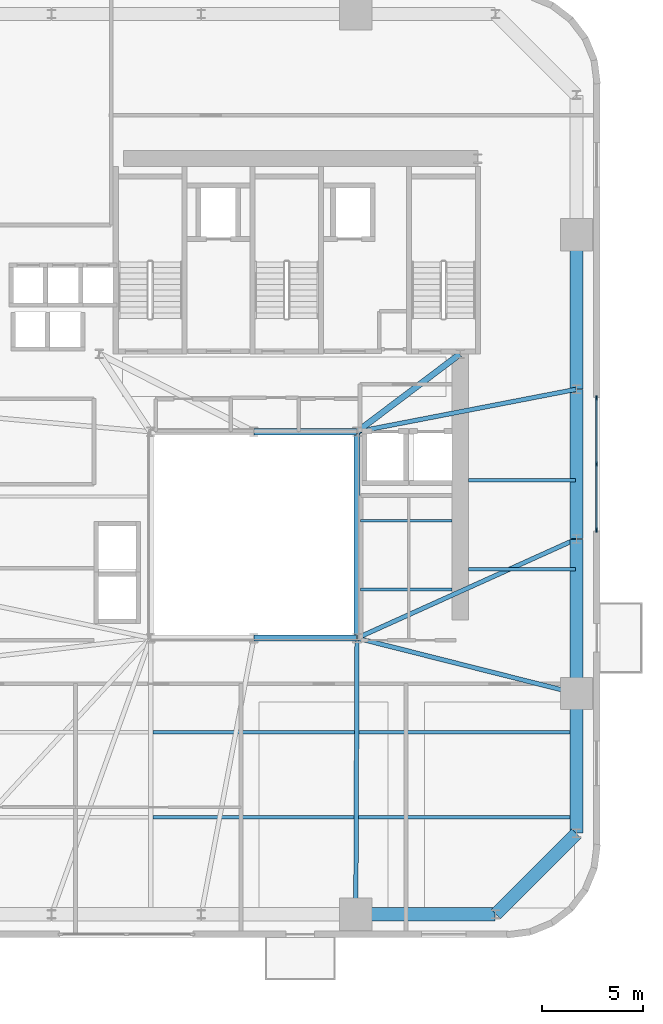
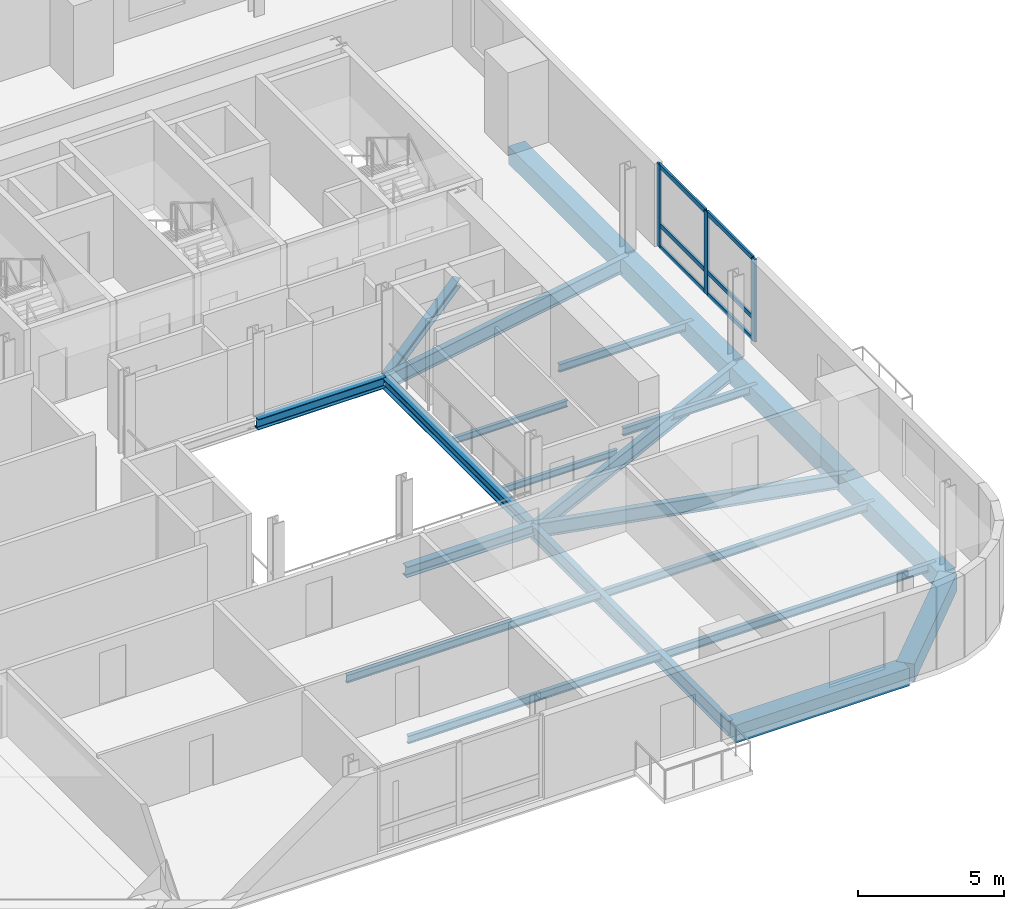
# One storey, part 3 of 13: 20 beams, 9 members, 1 element without a shape of its own.
"""IFC4 building model written with IfcOpenShell, lengths in metres."""

import ifcopenshell
import ifcopenshell.guid

model = None  # the IFC model being written
_history = None  # IfcOwnerHistory: only IFC2X3 demands one
_inside = {}  # id of a spatial element -> (the spatial element, [elements in it])
_under = {}  # id of a project, library or spatial element -> (it, [spatial elements below it])
_declared = {}  # id of a project -> (the project, [libraries it declares])
_typed = {}  # id of a type object -> (the type object, [elements of that type])
_made_of = {}  # id of a material, layer set ... -> (it, [elements and type objects made of it])


def new_model(schema):
    """Start an empty IFC model of exactly this schema.

    Asked for "IFC4X3", IfcOpenShell would pick the latest addendum, in which some entities
    have other attributes; the version numbers below select the first issue.
    IFC2X3 requires an IfcOwnerHistory on every rooted entity: one is made here for all.
    """
    global model, _history
    if schema == "IFC4X3":
        model = ifcopenshell.file(schema_version=(4, 3, 0, 0))
    else:
        model = ifcopenshell.file(schema=schema)
    _inside.clear()
    _under.clear()
    _declared.clear()
    _typed.clear()
    _made_of.clear()
    _history = None
    if model.schema == "IFC2X3":
        org = make("IfcOrganization", Name="unknown")
        user = make(
            "IfcPersonAndOrganization",
            ThePerson=make("IfcPerson", FamilyName="unknown"),
            TheOrganization=org,
        )
        app = make(
            "IfcApplication",
            ApplicationDeveloper=org,
            Version="unknown",
            ApplicationFullName="unknown",
            ApplicationIdentifier="unknown",
        )
        _history = make(
            "IfcOwnerHistory",
            OwningUser=user,
            OwningApplication=app,
            ChangeAction="ADDED",
            CreationDate=0,
        )
    return model


def make(cls, **values):
    """One entity of the class cls with the attributes given. An attribute that is None is left unset."""
    return model.create_entity(
        cls, **{name: value for name, value in values.items() if value is not None}
    )


def rooted(cls, **values):
    """An entity with a GlobalId (a new one), such as an element, a storey or a relation."""
    return make(cls, GlobalId=ifcopenshell.guid.new(), OwnerHistory=_history, **values)


def si_unit(unit_type, name, prefix=None):
    """IfcSIUnit, for example si_unit("LENGTHUNIT", "METRE", prefix="MILLI")."""
    return make("IfcSIUnit", UnitType=unit_type, Prefix=prefix, Name=name)


def assignment(units):
    """IfcUnitAssignment: the units of a project."""
    return None if units is None else make("IfcUnitAssignment", Units=units)


def point(xyz):
    """IfcCartesianPoint."""
    return None if xyz is None else make("IfcCartesianPoint", Coordinates=xyz)


def direction(xyz):
    """IfcDirection."""
    return None if xyz is None else make("IfcDirection", DirectionRatios=xyz)


def frame(location, z_axis=None, x_axis=None):
    """IfcAxis2Placement3D, a coordinate frame: its origin and axes. An axis left out is left unset."""
    return make(
        "IfcAxis2Placement3D",
        Location=point(location),
        Axis=direction(z_axis),
        RefDirection=direction(x_axis),
    )


def frame_2d(location, x_axis=None):
    """IfcAxis2Placement2D, a coordinate frame in the plane: its origin and x axis."""
    return make(
        "IfcAxis2Placement2D", Location=point(location), RefDirection=direction(x_axis)
    )


def origin():
    """The frame at (0, 0, 0) with its axes left unset."""
    return frame((0.0, 0.0, 0.0))


def origin_2d():
    """The frame at (0, 0) in the plane with its x axis left unset."""
    return frame_2d((0.0, 0.0))


def place(relative_to, where):
    """IfcLocalPlacement: puts the frame where relative to a parent placement (None: the world)."""
    return make(
        "IfcLocalPlacement", PlacementRelTo=relative_to, RelativePlacement=where
    )


def context(
    kind, dimensions, precision=None, world=None, true_north=None, identifier=None
):
    """IfcGeometricRepresentationContext, for example the 3D "Model" context."""
    return make(
        "IfcGeometricRepresentationContext",
        ContextIdentifier=identifier,
        ContextType=kind,
        CoordinateSpaceDimension=dimensions,
        Precision=precision,
        WorldCoordinateSystem=world,
        TrueNorth=true_north,
    )


def subcontext(parent, identifier, kind, view, scale=None):
    """IfcGeometricRepresentationSubContext, for example "Body" below "Model"."""
    return make(
        "IfcGeometricRepresentationSubContext",
        ContextIdentifier=identifier,
        ContextType=kind,
        ParentContext=parent,
        TargetScale=scale,
        TargetView=view,
    )


def project(units=None, contexts=None):
    """IfcProject with its units and contexts."""
    return rooted(
        "IfcProject",
        Name="project",
        RepresentationContexts=contexts,
        UnitsInContext=assignment(units),
    )


def spatial(cls, under=None, at=None, **own):
    """A site, building, storey or space (cls), placed at a placement, below another one or the project."""
    s = rooted(cls, ObjectPlacement=at, **own)
    if under is not None:
        _under.setdefault(under.id(), (under, []))[1].append(s)
    return s


def profile(cls, at=None, kind="AREA", **sizes):
    """A parametric profile (cls). Its sizes go by their IFC names, for example OverallWidth=200.0."""
    return make(cls, ProfileType=kind, Position=at, **sizes)


def rectangle(**sizes):
    """IfcRectangleProfileDef."""
    return profile("IfcRectangleProfileDef", **sizes)


def i_section(**sizes):
    """IfcIShapeProfileDef."""
    return profile("IfcIShapeProfileDef", **sizes)


def extrude(swept, where, along, depth):
    """IfcExtrudedAreaSolid: the profile swept, set in the frame where, extruded along a direction by depth."""
    return make(
        "IfcExtrudedAreaSolid",
        SweptArea=swept,
        Position=where,
        ExtrudedDirection=direction(along),
        Depth=depth,
    )


def shape(context_of_items, identifier, shape_type, items):
    """IfcShapeRepresentation: the items that make up one representation, for example the "Body"."""
    return make(
        "IfcShapeRepresentation",
        ContextOfItems=context_of_items,
        RepresentationIdentifier=identifier,
        RepresentationType=shape_type,
        Items=items,
    )


def source(mapping_origin, context_of_items, identifier, shape_type, items):
    """IfcRepresentationMap: a shape defined once, which mapped items show again and again."""
    return make(
        "IfcRepresentationMap",
        MappingOrigin=mapping_origin,
        MappedRepresentation=shape(context_of_items, identifier, shape_type, items),
    )


def transform(
    local_origin,
    x_axis=None,
    y_axis=None,
    z_axis=None,
    scale=None,
    scale2=None,
    scale3=None,
    uniform=True,
):
    """IfcCartesianTransformationOperator3D, or its non-uniform kind. x_axis, y_axis, z_axis: its Axis1, 2, 3."""
    if uniform:
        return make(
            "IfcCartesianTransformationOperator3D",
            Axis1=direction(x_axis),
            Axis2=direction(y_axis),
            LocalOrigin=point(local_origin),
            Scale=scale,
            Axis3=direction(z_axis),
        )
    return make(
        "IfcCartesianTransformationOperator3DnonUniform",
        Axis1=direction(x_axis),
        Axis2=direction(y_axis),
        LocalOrigin=point(local_origin),
        Scale=scale,
        Axis3=direction(z_axis),
        Scale2=scale2,
        Scale3=scale3,
    )


def mapped(mapping_source, mapping_target):
    """IfcMappedItem: shows the shape of a source again, moved by a transform."""
    return make(
        "IfcMappedItem", MappingSource=mapping_source, MappingTarget=mapping_target
    )


def material(Name=None, Category=None):
    """IfcMaterial."""
    return make("IfcMaterial", Name=Name, Category=Category)


def material_profile(
    of_material, cross_section, Name=None, Category=None, Priority=None
):
    """IfcMaterialProfile: a cross section and its material."""
    return make(
        "IfcMaterialProfile",
        Name=Name,
        Material=of_material,
        Profile=cross_section,
        Priority=Priority,
        Category=Category,
    )


def profile_set(profiles, Name=None, composite=None):
    """IfcMaterialProfileSet."""
    return make(
        "IfcMaterialProfileSet",
        Name=Name,
        MaterialProfiles=profiles,
        CompositeProfile=composite,
    )


def made_of(thing, what):
    """Note that an element or type object is made of a material, layer set ...; save() writes the relation."""
    if what is not None:
        _made_of.setdefault(what.id(), (what, []))[1].append(thing)
    return thing


def type_object(cls, material=None, **own):
    """A type object (cls), such as IfcWallType, which elements share."""
    return made_of(rooted(cls, **own), material)


def element(
    cls,
    number,
    at=None,
    inside=None,
    cuts=None,
    type_object=None,
    material=None,
    context=None,
    identifier="Body",
    shape_type=None,
    held_by="IfcProductDefinitionShape",
    body=None,
    shapes=None,
    **own,
):
    """One element of the class cls, such as IfcWall. Its Tag is "e" and its number.

    at: its placement. inside: the storey or other place that contains it. cuts: it is an
    opening in that element (IfcRelVoidsElement). A single representation is given by context,
    identifier, shape_type and body (its items); several are given by shapes. held_by: the class
    of the entity that holds the representations. save() writes the other relations.
    """
    e = rooted(cls, Tag="e%d" % number, ObjectPlacement=at, **own)
    if body is not None:
        shapes = [shape(context, identifier, shape_type, body)]
    if shapes is not None:
        e.Representation = make(held_by, Representations=shapes)
    if inside is not None:
        _inside.setdefault(inside.id(), (inside, []))[1].append(e)
    if cuts is not None:
        rooted(
            "IfcRelVoidsElement", RelatingBuildingElement=cuts, RelatedOpeningElement=e
        )
    if type_object is not None:
        _typed.setdefault(type_object.id(), (type_object, []))[1].append(e)
    return made_of(e, material)


def aggregate(whole, parts):
    """IfcRelAggregates: a whole, such as a stair, and the parts it consists of."""
    return rooted("IfcRelAggregates", RelatingObject=whole, RelatedObjects=parts)


def save(model, path):
    """Write the relations noted so far, then the file.

    IfcRelAggregates (storeys below a building ...), IfcRelContainedInSpatialStructure (elements
    in a storey), IfcRelDefinesByType, IfcRelAssociatesMaterial and IfcRelDeclares: one each for
    every whole, place, type object, material and project.
    """
    for whole, parts in _under.values():
        aggregate(whole, parts)
    for where, things in _inside.values():
        rooted(
            "IfcRelContainedInSpatialStructure",
            RelatedElements=things,
            RelatingStructure=where,
        )
    for kind, things in _typed.values():
        rooted("IfcRelDefinesByType", RelatedObjects=things, RelatingType=kind)
    for what, things in _made_of.values():
        rooted("IfcRelAssociatesMaterial", RelatedObjects=things, RelatingMaterial=what)
    for by, libraries in _declared.values():
        rooted("IfcRelDeclares", RelatingContext=by, RelatedDefinitions=libraries)
    model.write(path)


model = new_model("IFC4")

# Units and contexts
model_context = context("Model", 3, precision=1e-05, world=origin(), true_north=direction((0.0, 1.0)))
body_context = subcontext(model_context, "Body", "Model", "MODEL_VIEW")
ifc_project = project(units=[si_unit("LENGTHUNIT", "METRE"), si_unit("AREAUNIT", "SQUARE_METRE"), si_unit("VOLUMEUNIT", "CUBIC_METRE"), si_unit("PLANEANGLEUNIT", "RADIAN"), si_unit("MASSUNIT", "GRAM", prefix="KILO")], contexts=[model_context])

# Site, building, storey
site_placement = place(None, origin())
site = spatial("IfcSite", under=ifc_project, at=site_placement, CompositionType="ELEMENT")
building_placement = place(site_placement, origin())
building = spatial("IfcBuilding", under=site, at=building_placement, Name="Vardaveli Station Tower", CompositionType="ELEMENT")
storey_placement = place(building_placement, frame((0.0, 0.0, 159.39990234375)))
storey = spatial("IfcBuildingStorey", under=building, at=storey_placement, Name="L41", CompositionType="ELEMENT", Elevation=159.39990234375)

# Beams
ifc_material_1 = material(Name="Structural steel S355J2", Category="steel")
ifc_material_profile_1 = material_profile(ifc_material_1, i_section(OverallWidth=0.300048828125, OverallDepth=0.449951171875, WebThickness=0.013916015625, FlangeThickness=0.02587890625, FilletRadius=0.027099609375, at=origin_2d()), Name="HEB 450")
ifc_profile_set_1 = profile_set([ifc_material_profile_1], Name="Structural steel S355J2")
beam_type_1 = type_object("IfcBeamType", Name="BM-HEB450", PredefinedType="BEAM", material=ifc_profile_set_1)
shared_shape_1 = source(origin(), body_context, "Body", "SweptSolid", [
    extrude(i_section(OverallWidth=0.300048828125, OverallDepth=0.449951171875, WebThickness=0.013916015625, FlangeThickness=0.02587890625, FilletRadius=0.027099609375, at=origin_2d()), origin(), (0.0, 0.0, 1.0), 5.059814453125),
])
for number, where, z_axis, x_axis, name in (
    (1, (36.320068359375, 16.60009765625, -0.46484375), (1.0, 0.0, 0.0), (0.0, 1.0, 0.0), "ABM-L41-02"),
    (2, (41.3798828125, 26.800048828125, -0.46484375), (-1.0, 0.0, 0.0), (0.0, -1.0, 0.0), "ABM-L41-04"),
):
    element("IfcBeam", number, at=place(storey_placement, frame(where, z_axis=z_axis, x_axis=x_axis)), inside=storey, type_object=beam_type_1, Name=name, PredefinedType="BEAM", context=body_context, shape_type="MappedRepresentation", body=[
        mapped(shared_shape_1, transform((0.0, 0.0, 0.0), scale=1.0)),
    ])
shared_shape_2 = source(origin(), body_context, "Body", "SweptSolid", [
    extrude(i_section(OverallWidth=0.300048828125, OverallDepth=0.449951171875, WebThickness=0.013916015625, FlangeThickness=0.02587890625, FilletRadius=0.027099609375, at=origin_2d()), origin(), (0.0, 0.0, 1.0), 10.159912109375),
])
beam_1_placement = place(storey_placement, frame((41.39990234375, 16.6201171875, -0.46484375), z_axis=(0.0, 1.0, 0.0), x_axis=(-1.0, 0.0, 0.0)))
element("IfcBeam", 3, at=beam_1_placement, inside=storey, type_object=beam_type_1, Name="ABM-L41-03", PredefinedType="BEAM", context=body_context, shape_type="MappedRepresentation", body=[
    mapped(shared_shape_2, transform((0.0, 0.0, 0.0), scale=1.0)),
])
ifc_material_profile_2 = material_profile(ifc_material_1, i_section(OverallWidth=0.300048828125, OverallDepth=0.360107421875, WebThickness=0.012451171875, FlangeThickness=0.0224609375, FilletRadius=0.027099609375, at=origin_2d()), Name="HEB 360")
ifc_profile_set_2 = profile_set([ifc_material_profile_2], Name="Structural steel S355J2")
beam_type_2 = type_object("IfcBeamType", Name="BM-HEB360", PredefinedType="BEAM", material=ifc_profile_set_2)
shared_shape_3 = source(origin(), body_context, "Body", "SweptSolid", [
    extrude(i_section(OverallWidth=0.300048828125, OverallDepth=0.360107421875, WebThickness=0.012451171875, FlangeThickness=0.0224609375, FilletRadius=0.027099609375, at=origin_2d()), origin(), (0.0, 0.0, 1.0), 6.35009765625),
])
beam_2_placement = place(storey_placement, frame((41.416015625, 26.81201171875, -0.419921875), z_axis=(0.798118337722, 0.602500721154, 0.0), x_axis=(-0.602500721154, 0.798118337722, 0.0)))
element("IfcBeam", 4, at=beam_2_placement, inside=storey, type_object=beam_type_2, Name="CBM-L41-02", PredefinedType="BEAM", context=body_context, shape_type="MappedRepresentation", body=[
    mapped(shared_shape_3, transform((0.0, 0.0, 0.0), scale=1.0)),
])
ifc_material_2 = material(Name="Precast concrete C45/55", Category="concrete")
ifc_material_profile_3 = material_profile(ifc_material_2, rectangle(XDim=0.64990234375, YDim=0.75, at=origin_2d()), Name="LPB 650x750")
ifc_profile_set_3 = profile_set([ifc_material_profile_3], Name="Precast concrete C45/55")
beam_type_3 = type_object("IfcBeamType", Name="BM-LPB-750", PredefinedType="BEAM", material=ifc_profile_set_3)
shared_shape_4 = source(origin(), body_context, "Body", "SweptSolid", [
    extrude(rectangle(XDim=0.64990234375, YDim=0.75, at=origin_2d()), origin(), (0.0, 0.0, 1.0), 7.60009765625),
])
for number, where, z_axis, x_axis, name in (
    (5, (52.25, 13.8798828125, -0.614990234375), (0.0, 1.0, 0.0), (-1.0, 0.0, 0.0), "RBM-L41-07"),
    (6, (52.25, 28.919921875, -0.614990234375), (0.0, 1.0, 0.0), (-1.0, 0.0, 0.0), "RBM-L41-09"),
):
    element("IfcBeam", number, at=place(storey_placement, frame(where, z_axis=z_axis, x_axis=x_axis)), inside=storey, type_object=beam_type_3, Name=name, PredefinedType="BEAM", context=body_context, shape_type="MappedRepresentation", body=[
        mapped(shared_shape_4, transform((0.0, 0.0, 0.0), scale=1.0)),
    ])
shared_shape_5 = source(origin(), body_context, "Body", "SweptSolid", [
    extrude(rectangle(XDim=0.64990234375, YDim=0.75, at=origin_2d()), origin(), (0.0, 0.0, 1.0), 7.35986328125),
])
beam_3_placement = place(storey_placement, frame((52.25, 21.52001953125, -0.614990234375), z_axis=(0.0, 1.0, 0.0), x_axis=(-1.0, 0.0, 0.0)))
element("IfcBeam", 7, at=beam_3_placement, inside=storey, type_object=beam_type_3, Name="RBM-L41-08", PredefinedType="BEAM", context=body_context, shape_type="MappedRepresentation", body=[
    mapped(shared_shape_5, transform((0.0, 0.0, 0.0), scale=1.0)),
])
shared_shape_6 = source(origin(), body_context, "Body", "SweptSolid", [
    extrude(rectangle(XDim=0.64990234375, YDim=0.75, at=origin_2d()), origin(), (0.0, 0.0, 1.0), 6.869873046875),
])
beam_4_placement = place(storey_placement, frame((41.360107421875, 2.949951171875, -0.614990234375), z_axis=(1.0, 0.0, 0.0), x_axis=(0.0, 1.0, 0.0)))
element("IfcBeam", 8, at=beam_4_placement, inside=storey, type_object=beam_type_3, Name="RBM-L41-04", PredefinedType="BEAM", context=body_context, shape_type="MappedRepresentation", body=[
    mapped(shared_shape_6, transform((0.0, 0.0, 0.0), scale=1.0)),
])
shared_shape_7 = source(origin(), body_context, "Body", "SweptSolid", [
    extrude(rectangle(XDim=0.64990234375, YDim=0.75, at=origin_2d()), origin(), (0.0, 0.0, 1.0), 5.61669921875),
])
beam_5_placement = place(storey_placement, frame((48.26416015625, 2.964111328125, -0.614990234375), z_axis=(0.707106781187, 0.707106781187, 0.0), x_axis=(-0.707106781187, 0.707106781187, 0.0)))
element("IfcBeam", 9, at=beam_5_placement, inside=storey, type_object=beam_type_3, Name="RBM-L41-05", PredefinedType="BEAM", context=body_context, shape_type="MappedRepresentation", body=[
    mapped(shared_shape_7, transform((0.0, 0.0, 0.0), scale=1.0)),
])
shared_shape_8 = source(origin(), body_context, "Body", "SweptSolid", [
    extrude(rectangle(XDim=0.64990234375, YDim=0.75, at=origin_2d()), origin(), (0.0, 0.0, 1.0), 6.8701171875),
])
beam_6_placement = place(storey_placement, frame((52.25, 6.969970703125, -0.614990234375), z_axis=(0.0, 1.0, 0.0), x_axis=(-1.0, 0.0, 0.0)))
element("IfcBeam", 10, at=beam_6_placement, inside=storey, type_object=beam_type_3, Name="RBM-L41-06", PredefinedType="BEAM", context=body_context, shape_type="MappedRepresentation", body=[
    mapped(shared_shape_8, transform((0.0, 0.0, 0.0), scale=1.0)),
])
ifc_material_profile_4 = material_profile(ifc_material_1, i_section(OverallWidth=0.159912109375, OverallDepth=0.330078125, WebThickness=0.007568359375, FlangeThickness=0.011474609375, FilletRadius=0.01806640625, at=origin_2d()), Name="IPE 330")
ifc_profile_set_4 = profile_set([ifc_material_profile_4], Name="Structural steel S355J2")
beam_type_4 = type_object("IfcBeamType", Name="BM-IPE330", PredefinedType="JOIST", material=ifc_profile_set_4)
shared_shape_9 = source(origin(), body_context, "Body", "SweptSolid", [
    extrude(i_section(OverallWidth=0.159912109375, OverallDepth=0.330078125, WebThickness=0.007568359375, FlangeThickness=0.011474609375, FilletRadius=0.01806640625, at=origin_2d()), origin(), (0.0, 0.0, 1.0), 20.89794921875),
])
for number, where, z_axis, x_axis, name in (
    (11, (31.31201171875, 7.75, -0.40478515625), (1.0, 0.0, 0.0), (0.0, 1.0, 0.0), "SJ-L41-S02"),
    (12, (31.31201171875, 11.949951171875, -0.40478515625), (1.0, 0.0, 0.0), (0.0, 1.0, 0.0), "SJ-L41-S04"),
):
    element("IfcBeam", number, at=place(storey_placement, frame(where, z_axis=z_axis, x_axis=x_axis)), inside=storey, type_object=beam_type_4, Name=name, PredefinedType="JOIST", context=body_context, shape_type="MappedRepresentation", body=[
        mapped(shared_shape_9, transform((0.0, 0.0, 0.0), scale=1.0)),
    ])
shared_shape_10 = source(origin(), body_context, "Body", "SweptSolid", [
    extrude(i_section(OverallWidth=0.159912109375, OverallDepth=0.330078125, WebThickness=0.007568359375, FlangeThickness=0.011474609375, FilletRadius=0.01806640625, at=origin_2d()), origin(), (0.0, 0.0, 1.0), 5.304931640625),
])
for number, where, z_axis, x_axis, name in (
    (13, (46.905029296875, 20.0, -0.40478515625), (1.0, 0.0, 0.0), (0.0, 1.0, 0.0), "SJ-L41-E07"),
    (14, (46.905029296875, 24.39990234375, -0.40478515625), (1.0, 0.0, 0.0), (0.0, 1.0, 0.0), "SJ-L41-E08"),
):
    element("IfcBeam", number, at=place(storey_placement, frame(where, z_axis=z_axis, x_axis=x_axis)), inside=storey, type_object=beam_type_4, Name=name, PredefinedType="JOIST", context=body_context, shape_type="MappedRepresentation", body=[
        mapped(shared_shape_10, transform((0.0, 0.0, 0.0), scale=1.0)),
    ])
ifc_material_profile_5 = material_profile(ifc_material_1, i_section(OverallWidth=0.135009765625, OverallDepth=0.27001953125, WebThickness=0.006591796875, FlangeThickness=0.01025390625, FilletRadius=0.014892578125, at=origin_2d()), Name="IPE 270")
ifc_profile_set_5 = profile_set([ifc_material_profile_5], Name="Structural steel S355J2")
beam_type_5 = type_object("IfcBeamType", Name="BM-IPE270", PredefinedType="BEAM", material=ifc_profile_set_5)
shared_shape_11 = source(origin(), body_context, "Body", "SweptSolid", [
    extrude(i_section(OverallWidth=0.135009765625, OverallDepth=0.27001953125, WebThickness=0.006591796875, FlangeThickness=0.01025390625, FilletRadius=0.014892578125, at=origin_2d()), origin(), (0.0, 0.0, 1.0), 4.530029296875),
])
for number, where, z_axis, x_axis, name in (
    (15, (41.56494140625, 19.0, -0.375), (1.0, 0.0, 0.0), (0.0, 1.0, 0.0), "TJ-L41-01"),
    (16, (41.56494140625, 22.39990234375, -0.375), (1.0, 0.0, 0.0), (0.0, 1.0, 0.0), "TJ-L41-02"),
):
    element("IfcBeam", number, at=place(storey_placement, frame(where, z_axis=z_axis, x_axis=x_axis)), inside=storey, type_object=beam_type_5, Name=name, PredefinedType="BEAM", context=body_context, shape_type="MappedRepresentation", body=[
        mapped(shared_shape_11, transform((0.0, 0.0, 0.0), scale=1.0)),
    ])
ifc_material_profile_6 = material_profile(ifc_material_1, i_section(OverallWidth=0.219970703125, OverallDepth=0.60009765625, WebThickness=0.011962890625, FlangeThickness=0.01904296875, FilletRadius=0.02392578125, at=origin_2d()), Name="IPE 600")
ifc_profile_set_6 = profile_set([ifc_material_profile_6], Name="Structural steel S355J2")
beam_type_6 = type_object("IfcBeamType", Name="BM-IPE600", PredefinedType="BEAM", material=ifc_profile_set_6)
shared_shape_12 = source(origin(), body_context, "Body", "SweptSolid", [
    extrude(i_section(OverallWidth=0.219970703125, OverallDepth=0.60009765625, WebThickness=0.011962890625, FlangeThickness=0.01904296875, FilletRadius=0.02392578125, at=origin_2d()), origin(), (0.0, 0.0, 1.0), 13.6103515625),
])
beam_7_placement = place(storey_placement, frame((41.340087890625, 2.969970703125, -0.539794921875), z_axis=(0.004394812886, 0.999990342763, 0.0), x_axis=(-0.999990342763, 0.004394812886, 0.0)))
element("IfcBeam", 17, at=beam_7_placement, inside=storey, type_object=beam_type_6, Name="GBM-L41-04", PredefinedType="BEAM", context=body_context, shape_type="MappedRepresentation", body=[
    mapped(shared_shape_12, transform((0.0, 0.0, 0.0), scale=1.0)),
])
shared_shape_13 = source(origin(), body_context, "Body", "SweptSolid", [
    extrude(i_section(OverallWidth=0.219970703125, OverallDepth=0.60009765625, WebThickness=0.011962890625, FlangeThickness=0.01904296875, FilletRadius=0.02392578125, at=origin_2d()), origin(), (0.0, 0.0, 1.0), 11.150634765625),
])
beam_8_placement = place(storey_placement, frame((52.230712890625, 13.864990234375, -0.539794921875), z_axis=(-0.969561465826, 0.244848042642, 0.0), x_axis=(-0.244848042642, -0.969561465826, 0.0)))
element("IfcBeam", 18, at=beam_8_placement, inside=storey, type_object=beam_type_6, Name="GBM-L41-05", PredefinedType="BEAM", context=body_context, shape_type="MappedRepresentation", body=[
    mapped(shared_shape_13, transform((0.0, 0.0, 0.0), scale=1.0)),
])
shared_shape_14 = source(origin(), body_context, "Body", "SweptSolid", [
    extrude(i_section(OverallWidth=0.219970703125, OverallDepth=0.60009765625, WebThickness=0.011962890625, FlangeThickness=0.01904296875, FilletRadius=0.02392578125, at=origin_2d()), origin(), (0.0, 0.0, 1.0), 11.864990234375),
])
beam_9_placement = place(storey_placement, frame((52.231689453125, 21.49169921875, -0.539794921875), z_axis=(-0.911369354756, -0.411589478985, 0.0), x_axis=(0.411589478985, -0.911369354756, 0.0)))
element("IfcBeam", 19, at=beam_9_placement, inside=storey, type_object=beam_type_6, Name="GBM-L41-06", PredefinedType="BEAM", context=body_context, shape_type="MappedRepresentation", body=[
    mapped(shared_shape_14, transform((0.0, 0.0, 0.0), scale=1.0)),
])
shared_shape_15 = source(origin(), body_context, "Body", "SweptSolid", [
    extrude(i_section(OverallWidth=0.219970703125, OverallDepth=0.60009765625, WebThickness=0.011962890625, FlangeThickness=0.01904296875, FilletRadius=0.02392578125, at=origin_2d()), origin(), (0.0, 0.0, 1.0), 11.011474609375),
])
beam_10_placement = place(storey_placement, frame((52.23046875, 28.896240234375, -0.539794921875), z_axis=(-0.981777849093, -0.190032247343, 0.0), x_axis=(0.190032247343, -0.981777849093, 0.0)))
element("IfcBeam", 20, at=beam_10_placement, inside=storey, type_object=beam_type_6, Name="GBM-L41-07", PredefinedType="BEAM", context=body_context, shape_type="MappedRepresentation", body=[
    mapped(shared_shape_15, transform((0.0, 0.0, 0.0), scale=1.0)),
])

# Curtain wall, members
ifc_material_3 = material(Name="Travertine stone and solar-control glass", Category="masonry")
curtain_wall_type = type_object("IfcCurtainWallType", Name="CW-SYS-2", PredefinedType="NOTDEFINED", material=ifc_material_3)
curtain_wall_placement = place(storey_placement, origin())
curtain_wall = element("IfcCurtainWall", 21, at=curtain_wall_placement, inside=storey, type_object=curtain_wall_type, Name="CW-L41-E", PredefinedType="NOTDEFINED")
ifc_material_4 = material(Name="Anodised aluminium alloy 6063-T6", Category="aluminium")
ifc_material_profile_7 = material_profile(ifc_material_4, rectangle(XDim=0.0849609375, YDim=0.179931640625, at=origin_2d()), Name="CWT 85x180")
ifc_profile_set_7 = profile_set([ifc_material_profile_7], Name="Anodised aluminium alloy 6063-T6")
member_type_1 = type_object("IfcMemberType", Name="CW-SYS-2-TRAN", PredefinedType="NOTDEFINED", material=ifc_profile_set_7)
shared_shape_16 = source(origin(), body_context, "Body", "SweptSolid", [
    extrude(rectangle(XDim=0.0849609375, YDim=0.179931640625, at=origin_2d()), origin(), (0.0, 0.0, 1.0), 3.172607421875),
])
member_1_placement = place(storey_placement, frame((53.239990234375, 25.242431640625, 0.04248046875), z_axis=(0.0, 1.0, 0.0), x_axis=(-1.0, 0.0, 0.0)))
member_1 = element("IfcMember", 22, at=member_1_placement, type_object=member_type_1, Name="CW-2 transom 2.1", ObjectType="TRANSOM", PredefinedType="USERDEFINED", context=body_context, shape_type="MappedRepresentation", body=[
    mapped(shared_shape_16, transform((0.0, 0.0, 0.0), scale=1.0)),
])
member_2_placement = place(storey_placement, frame((53.239990234375, 25.242431640625, 0.9501953125), z_axis=(0.0, 1.0, 0.0), x_axis=(-1.0, 0.0, 0.0)))
member_2 = element("IfcMember", 23, at=member_2_placement, type_object=member_type_1, Name="CW-2 transom 2.2", ObjectType="TRANSOM", PredefinedType="USERDEFINED", context=body_context, shape_type="MappedRepresentation", body=[
    mapped(shared_shape_16, transform((0.0, 0.0, 0.0), scale=1.0)),
])
member_3_placement = place(storey_placement, frame((53.239990234375, 25.242431640625, 3.41748046875), z_axis=(0.0, 1.0, 0.0), x_axis=(-1.0, 0.0, 0.0)))
member_3 = element("IfcMember", 24, at=member_3_placement, type_object=member_type_1, Name="CW-2 transom 2.3", ObjectType="TRANSOM", PredefinedType="USERDEFINED", context=body_context, shape_type="MappedRepresentation", body=[
    mapped(shared_shape_16, transform((0.0, 0.0, 0.0), scale=1.0)),
])
shared_shape_17 = source(origin(), body_context, "Body", "SweptSolid", [
    extrude(rectangle(XDim=0.0849609375, YDim=0.179931640625, at=origin_2d()), origin(), (0.0, 0.0, 1.0), 3.17236328125),
])
member_4_placement = place(storey_placement, frame((53.239990234375, 21.985107421875, 0.04248046875), z_axis=(0.0, 1.0, 0.0), x_axis=(-1.0, 0.0, 0.0)))
member_4 = element("IfcMember", 25, at=member_4_placement, type_object=member_type_1, Name="CW-2 transom 1.1", ObjectType="TRANSOM", PredefinedType="USERDEFINED", context=body_context, shape_type="MappedRepresentation", body=[
    mapped(shared_shape_17, transform((0.0, 0.0, 0.0), scale=1.0)),
])
member_5_placement = place(storey_placement, frame((53.239990234375, 21.985107421875, 0.9501953125), z_axis=(0.0, 1.0, 0.0), x_axis=(-1.0, 0.0, 0.0)))
member_5 = element("IfcMember", 26, at=member_5_placement, type_object=member_type_1, Name="CW-2 transom 1.2", ObjectType="TRANSOM", PredefinedType="USERDEFINED", context=body_context, shape_type="MappedRepresentation", body=[
    mapped(shared_shape_17, transform((0.0, 0.0, 0.0), scale=1.0)),
])
member_6_placement = place(storey_placement, frame((53.239990234375, 21.985107421875, 3.41748046875), z_axis=(0.0, 1.0, 0.0), x_axis=(-1.0, 0.0, 0.0)))
member_6 = element("IfcMember", 27, at=member_6_placement, type_object=member_type_1, Name="CW-2 transom 1.3", ObjectType="TRANSOM", PredefinedType="USERDEFINED", context=body_context, shape_type="MappedRepresentation", body=[
    mapped(shared_shape_17, transform((0.0, 0.0, 0.0), scale=1.0)),
])
ifc_material_profile_8 = material_profile(ifc_material_4, rectangle(XDim=0.0849609375, YDim=0.219970703125, at=origin_2d()), Name="CWM 85x220")
ifc_profile_set_8 = profile_set([ifc_material_profile_8], Name="Anodised aluminium alloy 6063-T6")
member_type_2 = type_object("IfcMemberType", Name="CW-SYS-2-MULL", PredefinedType="MULLION", material=ifc_profile_set_8)
shared_shape_18 = source(origin(), body_context, "Body", "SweptSolid", [
    extrude(rectangle(XDim=0.0849609375, YDim=0.219970703125, at=origin_2d()), origin(), (0.0, 0.0, 1.0), 3.460205078125),
])
member_7_placement = place(storey_placement, frame((53.239990234375, 21.9423828125, 0.0), z_axis=(0.0, 0.0, 1.0), x_axis=(-1.0, 0.0, 0.0)))
member_7 = element("IfcMember", 28, at=member_7_placement, type_object=member_type_2, Name="CW-2 mullion 1", PredefinedType="MULLION", context=body_context, shape_type="MappedRepresentation", body=[
    mapped(shared_shape_18, transform((0.0, 0.0, 0.0), scale=1.0)),
])
member_8_placement = place(storey_placement, frame((53.239990234375, 25.199951171875, 0.0), z_axis=(0.0, 0.0, 1.0), x_axis=(-1.0, 0.0, 0.0)))
member_8 = element("IfcMember", 29, at=member_8_placement, type_object=member_type_2, Name="CW-2 mullion 2", PredefinedType="MULLION", context=body_context, shape_type="MappedRepresentation", body=[
    mapped(shared_shape_18, transform((0.0, 0.0, 0.0), scale=1.0)),
])
member_9_placement = place(storey_placement, frame((53.239990234375, 28.45751953125, 0.0), z_axis=(0.0, 0.0, 1.0), x_axis=(-1.0, 0.0, 0.0)))
member_9 = element("IfcMember", 30, at=member_9_placement, type_object=member_type_2, Name="CW-2 mullion 3", PredefinedType="MULLION", context=body_context, shape_type="MappedRepresentation", body=[
    mapped(shared_shape_18, transform((0.0, 0.0, 0.0), scale=1.0)),
])
aggregate(curtain_wall, [member_7, member_8, member_9, member_4, member_5, member_6, member_1, member_2, member_3])

save(model, "model.ifc")
